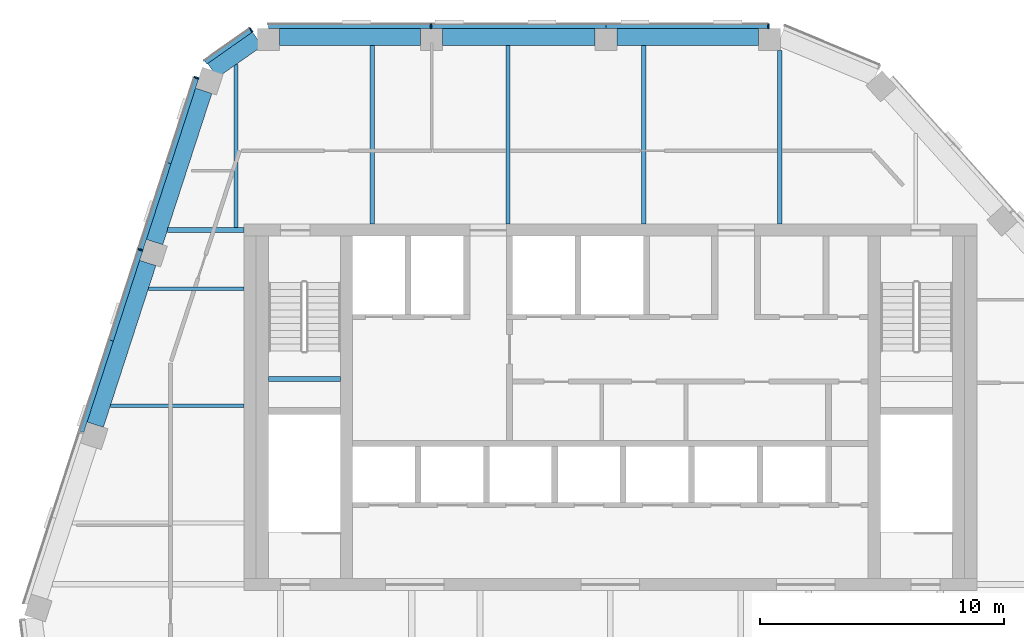
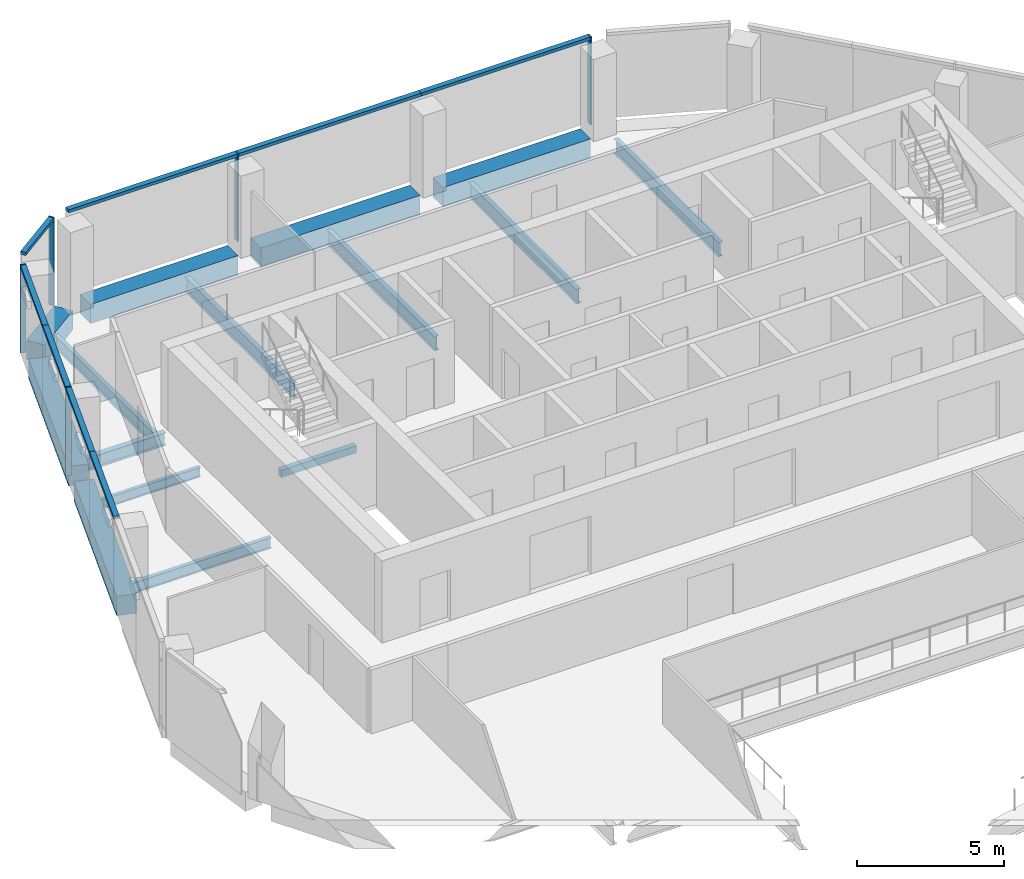
# One storey, part 5 of 13: 15 beams, 13 members, 3 elements without a shape of their own.
"""IFC4 building model written with IfcOpenShell, lengths in metres."""

from ifc_helpers import new_model, si_unit, direction, frame, origin, origin_2d, place, context, subcontext, project, spatial, rectangle, i_section, extrude, material, layer, layer_set, material_profile, profile_set, type_object, element, aggregate, save


model = new_model("IFC4")

# Units and contexts
model_context = context("Model", 3, precision=1e-05, world=origin(), true_north=direction((0.0, 1.0)))
body_context = subcontext(model_context, "Body", "Model", "MODEL_VIEW")
ifc_project = project(units=[si_unit("LENGTHUNIT", "METRE"), si_unit("AREAUNIT", "SQUARE_METRE"), si_unit("VOLUMEUNIT", "CUBIC_METRE"), si_unit("PLANEANGLEUNIT", "RADIAN"), si_unit("MASSUNIT", "GRAM", prefix="KILO")], contexts=[model_context])

# Site, building, storey
site_placement = place(None, origin())
site = spatial("IfcSite", under=ifc_project, at=site_placement, CompositionType="ELEMENT")
building_placement = place(site_placement, origin())
building = spatial("IfcBuilding", under=site, at=building_placement, Name="Isthmus Gate Tower", CompositionType="ELEMENT")
storey_placement = place(building_placement, frame((0.0, 0.0, 297.449951171875)))
storey = spatial("IfcBuildingStorey", under=building, at=storey_placement, Name="L76", CompositionType="ELEMENT", Elevation=297.449951171875)

# Curtain wall, members
ifc_material_1 = material(Name="Aluminium, pale champagne anodised", Category="aluminium")
ifc_layer = layer(ifc_material_1, 0.199951171875)
ifc_layer_set = layer_set([ifc_layer], Name="CW-1 UNITISED CURTAIN WALL 200 DEEP")
curtain_wall_type = type_object("IfcCurtainWallType", Name="CW-1 UNITISED CURTAIN WALL 200 DEEP", PredefinedType="NOTDEFINED", material=ifc_layer_set)
curtain_wall_1_placement = place(storey_placement, origin())
curtain_wall_1 = element("IfcCurtainWall", 1, at=curtain_wall_1_placement, inside=storey, type_object=curtain_wall_type, Name="CW-1 N L76", PredefinedType="NOTDEFINED")
ifc_material_2 = material(Name="Aluminium, pale champagne anodised", Category="aluminium")
ifc_material_profile_1 = material_profile(ifc_material_2, rectangle(XDim=0.06005859375, YDim=0.199951171875, at=origin_2d()), Name="60x200")
ifc_profile_set_1 = profile_set([ifc_material_profile_1], Name="Aluminium, pale champagne anodised")
member_type_1 = type_object("IfcMemberType", Name="CW-1 MULLION 60 X 200", PredefinedType="MULLION", material=ifc_profile_set_1)
member_1_placement = place(storey_placement, frame((6.4794921875, 23.10009765625, 0.0), z_axis=(0.0, 0.0, 1.0), x_axis=(-1.0, 0.0, 0.0)))
member_1 = element("IfcMember", 2, at=member_1_placement, type_object=member_type_1, Name="CW-1 mullion", PredefinedType="MULLION", context=body_context, shape_type="SweptSolid", body=[
    extrude(rectangle(XDim=0.06005859375, YDim=0.199951171875, at=origin_2d()), origin(), (0.0, 0.0, 1.0), 3.650146484375),
])
member_2_placement = place(storey_placement, frame((-7.339599609375, 23.10009765625, 0.0), z_axis=(0.0, 0.0, 1.0), x_axis=(-1.0, 0.0, 0.0)))
member_2 = element("IfcMember", 3, at=member_2_placement, type_object=member_type_1, Name="CW-1 mullion", PredefinedType="MULLION", context=body_context, shape_type="SweptSolid", body=[
    extrude(rectangle(XDim=0.06005859375, YDim=0.199951171875, at=origin_2d()), origin(), (0.0, 0.0, 1.0), 3.650146484375),
])

# Curtain wall, member
curtain_wall_2_placement = place(storey_placement, origin())
curtain_wall_2 = element("IfcCurtainWall", 4, at=curtain_wall_2_placement, inside=storey, type_object=curtain_wall_type, Name="CW-1 N-NW L76", PredefinedType="NOTDEFINED")
member_3_placement = place(storey_placement, frame((-14.69873046875, 22.943115234375, 0.0), z_axis=(0.0, 0.0, 1.0), x_axis=(-0.81785959165, -0.57541783805, 0.0)))
member_3 = element("IfcMember", 5, at=member_3_placement, type_object=member_type_1, Name="CW-1 mullion", PredefinedType="MULLION", context=body_context, shape_type="SweptSolid", body=[
    extrude(rectangle(XDim=0.06005859375, YDim=0.199951171875, at=origin_2d()), origin(), (0.0, 0.0, 1.0), 3.650146484375),
])

# Curtain wall, members
curtain_wall_3_placement = place(storey_placement, origin())
curtain_wall_3 = element("IfcCurtainWall", 6, at=curtain_wall_3_placement, inside=storey, type_object=curtain_wall_type, Name="CW-1 NW L76", PredefinedType="NOTDEFINED")
member_4_placement = place(storey_placement, frame((-16.9404296875, 20.9892578125, 0.0), z_axis=(0.0, 0.0, 1.0), x_axis=(-0.309016994375, -0.951056516295, 0.0)))
member_4 = element("IfcMember", 7, at=member_4_placement, type_object=member_type_1, Name="CW-1 mullion", PredefinedType="MULLION", context=body_context, shape_type="SweptSolid", body=[
    extrude(rectangle(XDim=0.06005859375, YDim=0.199951171875, at=origin_2d()), origin(), (0.0, 0.0, 1.0), 3.650146484375),
])
member_5_placement = place(storey_placement, frame((-19.229248046875, 13.945068359375, 0.0), z_axis=(0.0, 0.0, 1.0), x_axis=(-0.309016994375, -0.951056516295, 0.0)))
member_5 = element("IfcMember", 8, at=member_5_placement, type_object=member_type_1, Name="CW-1 mullion", PredefinedType="MULLION", context=body_context, shape_type="SweptSolid", body=[
    extrude(rectangle(XDim=0.06005859375, YDim=0.199951171875, at=origin_2d()), origin(), (0.0, 0.0, 1.0), 3.650146484375),
])

# Member
ifc_material_3 = material(Name="Aluminium, pale champagne anodised", Category="aluminium")
ifc_material_profile_2 = material_profile(ifc_material_3, rectangle(XDim=0.199951171875, YDim=0.1298828125, at=origin_2d()), Name="200x130")
ifc_profile_set_2 = profile_set([ifc_material_profile_2], Name="Aluminium, pale champagne anodised")
member_type_2 = type_object("IfcMemberType", Name="CW-1 TRANSOM 200 X 130", PredefinedType="USERDEFINED", material=ifc_profile_set_2)
member_6_placement = place(storey_placement, frame((6.449462890625, 23.10009765625, 3.5849609375), z_axis=(-1.0, 0.0, 0.0), x_axis=(0.0, -1.0, 0.0)))
member_6 = element("IfcMember", 9, at=member_6_placement, type_object=member_type_2, Name="CW-1 transom", ObjectType="TRANSOM", PredefinedType="USERDEFINED", context=body_context, shape_type="SweptSolid", body=[
    extrude(rectangle(XDim=0.199951171875, YDim=0.1298828125, at=origin_2d()), origin(), (0.0, 0.0, 1.0), 6.62451171875),
])

member_7_placement = place(storey_placement, frame((-0.175048828125, 23.10009765625, 3.5849609375), z_axis=(-1.0, 0.0, 0.0), x_axis=(0.0, -1.0, 0.0)))
member_7 = element("IfcMember", 10, at=member_7_placement, type_object=member_type_2, Name="CW-1 transom", ObjectType="TRANSOM", PredefinedType="USERDEFINED", context=body_context, shape_type="SweptSolid", body=[
    extrude(rectangle(XDim=0.199951171875, YDim=0.1298828125, at=origin_2d()), origin(), (0.0, 0.0, 1.0), 7.134521484375),
])

member_8_placement = place(storey_placement, frame((-7.36962890625, 23.10009765625, 3.5849609375), z_axis=(-1.0, 0.0, 0.0), x_axis=(0.0, -1.0, 0.0)))
member_8 = element("IfcMember", 11, at=member_8_placement, type_object=member_type_2, Name="CW-1 transom", ObjectType="TRANSOM", PredefinedType="USERDEFINED", context=body_context, shape_type="SweptSolid", body=[
    extrude(rectangle(XDim=0.199951171875, YDim=0.1298828125, at=origin_2d()), origin(), (0.0, 0.0, 1.0), 6.62451171875),
])

aggregate(curtain_wall_1, [member_1, member_6, member_7, member_2, member_8])

member_9_placement = place(storey_placement, frame((-14.723388671875, 22.92578125, 3.5849609375), z_axis=(-0.817868595604, -0.575405040233, 0.0), x_axis=(0.575405040233, -0.817868595604, 0.0)))
member_9 = element("IfcMember", 12, at=member_9_placement, type_object=member_type_2, Name="CW-1 transom", ObjectType="TRANSOM", PredefinedType="USERDEFINED", context=body_context, shape_type="SweptSolid", body=[
    extrude(rectangle(XDim=0.199951171875, YDim=0.1298828125, at=origin_2d()), origin(), (0.0, 0.0, 1.0), 2.258544921875),
])

aggregate(curtain_wall_2, [member_3, member_9])

member_10_placement = place(storey_placement, frame((-16.94970703125, 20.960693359375, 3.5849609375), z_axis=(-0.30904213216, -0.951048348166, 0.0), x_axis=(0.951048348166, -0.30904213216, 0.0)))
member_10 = element("IfcMember", 13, at=member_10_placement, type_object=member_type_2, Name="CW-1 transom", ObjectType="TRANSOM", PredefinedType="USERDEFINED", context=body_context, shape_type="SweptSolid", body=[
    extrude(rectangle(XDim=0.199951171875, YDim=0.1298828125, at=origin_2d()), origin(), (0.0, 0.0, 1.0), 3.6435546875),
])

member_11_placement = place(storey_placement, frame((-18.07568359375, 17.49560546875, 3.5849609375), z_axis=(-0.308999609488, -0.951062164812, 0.0), x_axis=(0.951062164812, -0.308999609488, 0.0)))
member_11 = element("IfcMember", 14, at=member_11_placement, type_object=member_type_2, Name="CW-1 transom", ObjectType="TRANSOM", PredefinedType="USERDEFINED", context=body_context, shape_type="SweptSolid", body=[
    extrude(rectangle(XDim=0.199951171875, YDim=0.1298828125, at=origin_2d()), origin(), (0.0, 0.0, 1.0), 3.703125),
])

member_12_placement = place(storey_placement, frame((-19.238525390625, 13.91650390625, 3.5849609375), z_axis=(-0.309061811928, -0.951041953022, 0.0), x_axis=(0.951041953022, -0.309061811928, 0.0)))
member_12 = element("IfcMember", 15, at=member_12_placement, type_object=member_type_2, Name="CW-1 transom", ObjectType="TRANSOM", PredefinedType="USERDEFINED", context=body_context, shape_type="SweptSolid", body=[
    extrude(rectangle(XDim=0.199951171875, YDim=0.1298828125, at=origin_2d()), origin(), (0.0, 0.0, 1.0), 3.868408203125),
])

member_13_placement = place(storey_placement, frame((-20.43408203125, 10.237548828125, 3.5849609375), z_axis=(-0.308984896154, -0.951066945041, 0.0), x_axis=(0.951066945041, -0.308984896154, 0.0)))
member_13 = element("IfcMember", 16, at=member_13_placement, type_object=member_type_2, Name="CW-1 transom", ObjectType="TRANSOM", PredefinedType="USERDEFINED", context=body_context, shape_type="SweptSolid", body=[
    extrude(rectangle(XDim=0.199951171875, YDim=0.1298828125, at=origin_2d()), origin(), (0.0, 0.0, 1.0), 3.928466796875),
])

aggregate(curtain_wall_3, [member_4, member_10, member_11, member_5, member_12, member_13])

# Beams
ifc_material_4 = material(Name="Concrete f'c 50 MPa", Category="concrete")
ifc_material_profile_3 = material_profile(ifc_material_4, rectangle(XDim=0.699951171875, YDim=0.800048828125, at=origin_2d()), Name="RC 700X800")
ifc_profile_set_3 = profile_set([ifc_material_profile_3], Name="Concrete f'c 50 MPa")
beam_type_1 = type_object("IfcBeamType", Name="RC SPANDREL 700 X 800", PredefinedType="SPANDREL", material=ifc_profile_set_3)
beam_1_placement = place(storey_placement, frame((-21.080810546875, 6.790283203125, -0.39990234375), z_axis=(0.309006716915, 0.951059855583, 0.0), x_axis=(-0.951059855583, 0.309006716915, 0.0)))
element("IfcBeam", 17, at=beam_1_placement, inside=storey, type_object=beam_type_1, Name="str-spandrel-L76-18", PredefinedType="SPANDREL", context=body_context, shape_type="SweptSolid", body=[
    extrude(rectangle(XDim=0.699951171875, YDim=0.800048828125, at=origin_2d()), origin(), (0.0, 0.0, 1.0), 6.956787109375),
])
beam_2_placement = place(storey_placement, frame((-18.653076171875, 14.262451171875, -0.39990234375), z_axis=(0.30901480678, 0.951057227085, 0.0), x_axis=(-0.951057227085, 0.30901480678, 0.0)))
element("IfcBeam", 18, at=beam_2_placement, inside=storey, type_object=beam_type_1, Name="str-spandrel-L76-19", PredefinedType="SPANDREL", context=body_context, shape_type="SweptSolid", body=[
    extrude(rectangle(XDim=0.699951171875, YDim=0.800048828125, at=origin_2d()), origin(), (0.0, 0.0, 1.0), 6.5068359375),
])
beam_3_placement = place(storey_placement, frame((-16.281005859375, 21.27978515625, -0.39990234375), z_axis=(0.817891678431, 0.57537222939, 0.0), x_axis=(-0.57537222939, 0.817891678431, 0.0)))
element("IfcBeam", 19, at=beam_3_placement, inside=storey, type_object=beam_type_1, Name="str-spandrel-L76-20", PredefinedType="SPANDREL", context=body_context, shape_type="SweptSolid", body=[
    extrude(rectangle(XDim=0.699951171875, YDim=0.800048828125, at=origin_2d()), origin(), (0.0, 0.0, 1.0), 2.245849609375),
])
beam_4_placement = place(storey_placement, frame((-13.544189453125, 22.64990234375, -0.39990234375), z_axis=(1.0, 0.0, 0.0), x_axis=(0.0, 1.0, 0.0)))
element("IfcBeam", 20, at=beam_4_placement, inside=storey, type_object=beam_type_1, Name="str-spandrel-L76-21", PredefinedType="SPANDREL", context=body_context, shape_type="SweptSolid", body=[
    extrude(rectangle(XDim=0.699951171875, YDim=0.800048828125, at=origin_2d()), origin(), (0.0, 0.0, 1.0), 5.78466796875),
])
beam_5_placement = place(storey_placement, frame((-6.859619140625, 22.64990234375, -0.39990234375), z_axis=(1.0, 0.0, 0.0), x_axis=(0.0, 1.0, 0.0)))
element("IfcBeam", 21, at=beam_5_placement, inside=storey, type_object=beam_type_1, Name="str-spandrel-L76-22", PredefinedType="SPANDREL", context=body_context, shape_type="SweptSolid", body=[
    extrude(rectangle(XDim=0.699951171875, YDim=0.800048828125, at=origin_2d()), origin(), (0.0, 0.0, 1.0), 6.234619140625),
])
beam_6_placement = place(storey_placement, frame((0.27490234375, 22.64990234375, -0.39990234375), z_axis=(1.0, 0.0, 0.0), x_axis=(0.0, 1.0, 0.0)))
element("IfcBeam", 22, at=beam_6_placement, inside=storey, type_object=beam_type_1, Name="str-spandrel-L76-23", PredefinedType="SPANDREL", context=body_context, shape_type="SweptSolid", body=[
    extrude(rectangle(XDim=0.699951171875, YDim=0.800048828125, at=origin_2d()), origin(), (0.0, 0.0, 1.0), 5.784423828125),
])
ifc_material_5 = material(Name="Concrete f'c 40 MPa", Category="concrete")
ifc_material_profile_4 = material_profile(ifc_material_5, rectangle(XDim=0.199951171875, YDim=0.300048828125, at=origin_2d()), Name="STAIR LANDING BEAM RC 200 X 300")
ifc_profile_set_4 = profile_set([ifc_material_profile_4], Name="Concrete f'c 40 MPa")
beam_type_2 = type_object("IfcBeamType", Name="STAIR LANDING BEAM RC 200 X 300", PredefinedType="BEAM", material=ifc_profile_set_4)
beam_7_placement = place(storey_placement, frame((-14.0, 8.64990234375, 1.47509765625), z_axis=(1.0, 0.0, 0.0), x_axis=(0.0, 1.0, 0.0)))
element("IfcBeam", 23, at=beam_7_placement, inside=storey, type_object=beam_type_2, Name="L76 ST1 landing beam 1", PredefinedType="BEAM", context=body_context, shape_type="SweptSolid", body=[
    extrude(rectangle(XDim=0.199951171875, YDim=0.300048828125, at=origin_2d()), origin(), (0.0, 0.0, 1.0), 2.949951171875),
])
ifc_material_6 = material(Name="Structural steel ASTM A992 Gr 50", Category="steel")
ifc_material_profile_5 = material_profile(ifc_material_6, i_section(OverallWidth=0.1396484375, OverallDepth=0.4033203125, WebThickness=0.00634765625, FlangeThickness=0.010986328125, at=origin_2d()), Name="W16X31")
ifc_profile_set_5 = profile_set([ifc_material_profile_5], Name="Structural steel ASTM A992 Gr 50")
beam_type_3 = type_object("IfcBeamType", Name="STEEL FLOOR BEAM W16X31", PredefinedType="JOIST", material=ifc_profile_set_5)
beam_8_placement = place(storey_placement, frame((-18.905517578125, 12.352294921875, -0.3515625), z_axis=(1.0, 0.0, 0.0), x_axis=(0.0, 1.0, 0.0)))
element("IfcBeam", 24, at=beam_8_placement, inside=storey, type_object=beam_type_3, Name="str-beam-L76-00-02", PredefinedType="JOIST", context=body_context, shape_type="SweptSolid", body=[
    extrude(i_section(OverallWidth=0.1396484375, OverallDepth=0.4033203125, WebThickness=0.00634765625, FlangeThickness=0.010986328125, at=origin_2d()), origin(), (0.0, 0.0, 1.0), 3.905517578125),
])
ifc_material_7 = material(Name="Structural steel ASTM A992 Gr 50", Category="steel")
ifc_material_profile_6 = material_profile(ifc_material_7, i_section(OverallWidth=0.15234375, OverallDepth=0.45068359375, WebThickness=0.0078125, FlangeThickness=0.010986328125, at=origin_2d()), Name="W18X35")
ifc_profile_set_6 = profile_set([ifc_material_profile_6], Name="Structural steel ASTM A992 Gr 50")
beam_type_4 = type_object("IfcBeamType", Name="STEEL FLOOR BEAM W18X35", PredefinedType="JOIST", material=ifc_profile_set_6)
beam_9_placement = place(storey_placement, frame((-20.463623046875, 7.55712890625, -0.375244140625), z_axis=(1.0, 0.0, 0.0), x_axis=(0.0, 1.0, 0.0)))
element("IfcBeam", 25, at=beam_9_placement, inside=storey, type_object=beam_type_4, Name="str-beam-L76-00-01", PredefinedType="JOIST", context=body_context, shape_type="SweptSolid", body=[
    extrude(i_section(OverallWidth=0.15234375, OverallDepth=0.45068359375, WebThickness=0.0078125, FlangeThickness=0.010986328125, at=origin_2d()), origin(), (0.0, 0.0, 1.0), 5.463623046875),
])
ifc_material_8 = material(Name="Structural steel ASTM A992 Gr 50", Category="steel")
ifc_material_profile_7 = material_profile(ifc_material_8, i_section(OverallWidth=0.1650390625, OverallDepth=0.52392578125, WebThickness=0.009521484375, FlangeThickness=0.010986328125, at=origin_2d()), Name="W21X44")
ifc_profile_set_7 = profile_set([ifc_material_profile_7], Name="Structural steel ASTM A992 Gr 50")
beam_type_5 = type_object("IfcBeamType", Name="STEEL FLOOR BEAM W21X44", PredefinedType="JOIST", material=ifc_profile_set_7)
beam_10_placement = place(storey_placement, frame((-15.311767578125, 14.854736328125, -0.411865234375), z_axis=(0.0, 1.0, 0.0), x_axis=(-1.0, 0.0, 0.0)))
element("IfcBeam", 26, at=beam_10_placement, inside=storey, type_object=beam_type_5, Name="str-beam-L76-07-00", PredefinedType="JOIST", context=body_context, shape_type="SweptSolid", body=[
    extrude(i_section(OverallWidth=0.1650390625, OverallDepth=0.52392578125, WebThickness=0.009521484375, FlangeThickness=0.010986328125, at=origin_2d()), origin(), (0.0, 0.0, 1.0), 6.678955078125),
])
ifc_material_9 = material(Name="Structural steel ASTM A992 Gr 50", Category="steel")
ifc_material_profile_8 = material_profile(ifc_material_9, i_section(OverallWidth=0.177734375, OverallDepth=0.60009765625, WebThickness=0.009521484375, FlangeThickness=0.0126953125, at=origin_2d()), Name="W24X55")
ifc_profile_set_8 = profile_set([ifc_material_profile_8], Name="Structural steel ASTM A992 Gr 50")
beam_type_6 = type_object("IfcBeamType", Name="STEEL FLOOR BEAM W24X55", PredefinedType="JOIST", material=ifc_profile_set_8)
for number, where, z_axis, x_axis, name in (
    (27, (-9.750244140625, 15.0, -0.449951171875), (0.0, 1.0, 0.0), (-1.0, 0.0, 0.0), "str-beam-L76-07-01"),
    (28, (-4.188720703125, 15.0, -0.449951171875), (0.0, 1.0, 0.0), (-1.0, 0.0, 0.0), "str-beam-L76-07-02"),
    (29, (1.372802734375, 15.0, -0.449951171875), (0.0, 1.0, 0.0), (-1.0, 0.0, 0.0), "str-beam-L76-07-03"),
):
    element("IfcBeam", number, at=place(storey_placement, frame(where, z_axis=z_axis, x_axis=x_axis)), inside=storey, type_object=beam_type_6, Name=name, PredefinedType="JOIST", context=body_context, shape_type="SweptSolid", body=[
        extrude(i_section(OverallWidth=0.177734375, OverallDepth=0.60009765625, WebThickness=0.009521484375, FlangeThickness=0.0126953125, at=origin_2d()), origin(), (0.0, 0.0, 1.0), 7.300048828125),
    ])
beam_11_placement = place(storey_placement, frame((6.93408203125, 15.0, -0.449951171875), z_axis=(0.0, 1.0, 0.0), x_axis=(-1.0, 0.0, 0.0)))
element("IfcBeam", 30, at=beam_11_placement, inside=storey, type_object=beam_type_6, Name="str-beam-L76-07-04", PredefinedType="JOIST", context=body_context, shape_type="SweptSolid", body=[
    extrude(i_section(OverallWidth=0.177734375, OverallDepth=0.60009765625, WebThickness=0.009521484375, FlangeThickness=0.0126953125, at=origin_2d()), origin(), (0.0, 0.0, 1.0), 7.10009765625),
])
ifc_material_10 = material(Name="Structural steel ASTM A992 Gr 50", Category="steel")
ifc_material_profile_9 = material_profile(ifc_material_10, i_section(OverallWidth=0.20947265625, OverallDepth=0.533447265625, WebThickness=0.009521484375, FlangeThickness=0.015869140625, at=origin_2d()), Name="W21X62")
ifc_profile_set_9 = profile_set([ifc_material_profile_9], Name="Structural steel ASTM A992 Gr 50")
beam_type_7 = type_object("IfcBeamType", Name="STEEL GIRDER W21X62", PredefinedType="BEAM", material=ifc_profile_set_9)
beam_12_placement = place(storey_placement, frame((-15.0, 14.75, -0.416748046875), z_axis=(-1.0, 0.0, 0.0), x_axis=(0.0, -1.0, 0.0)))
element("IfcBeam", 31, at=beam_12_placement, inside=storey, type_object=beam_type_7, Name="str-girder-L76-11", PredefinedType="BEAM", context=body_context, shape_type="SweptSolid", body=[
    extrude(i_section(OverallWidth=0.20947265625, OverallDepth=0.533447265625, WebThickness=0.009521484375, FlangeThickness=0.015869140625, at=origin_2d()), origin(), (0.0, 0.0, 1.0), 3.12646484375),
])

save(model, "model.ifc")
